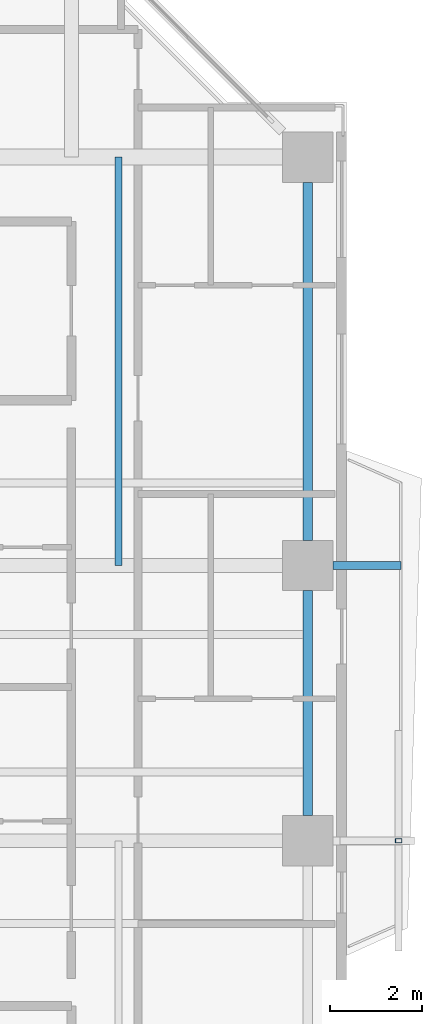
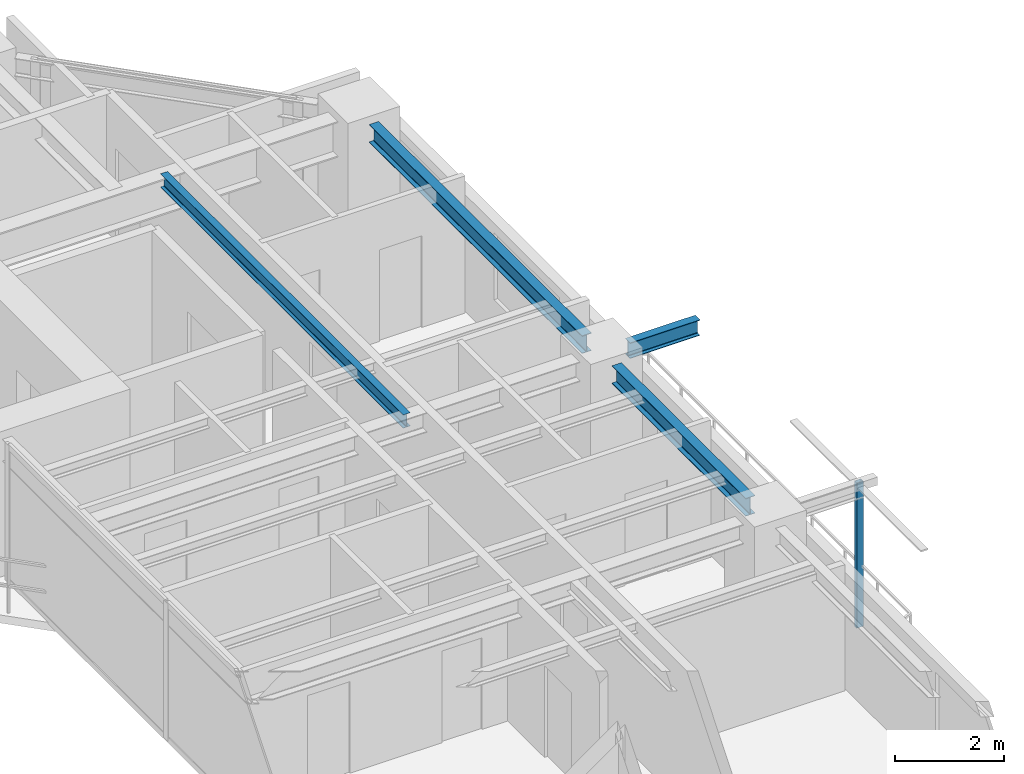
# One storey, part 7 of 17: 4 beams, 1 member.
"""IFC4 building model written with IfcOpenShell, lengths in metres."""

from ifc_helpers import new_model, si_unit, direction, frame, origin, origin_2d, place, context, subcontext, project, spatial, hollow_rectangle, i_section, extrude, source, transform, mapped, material, material_profile, profile_set, type_object, element, save


model = new_model("IFC4")

# Units and contexts
model_context = context("Model", 3, precision=1e-05, world=origin(), true_north=direction((0.0, 1.0)))
body_context = subcontext(model_context, "Body", "Model", "MODEL_VIEW")
ifc_project = project(units=[si_unit("LENGTHUNIT", "METRE"), si_unit("AREAUNIT", "SQUARE_METRE"), si_unit("VOLUMEUNIT", "CUBIC_METRE"), si_unit("PLANEANGLEUNIT", "RADIAN"), si_unit("MASSUNIT", "GRAM", prefix="KILO"), si_unit("THERMODYNAMICTEMPERATUREUNIT", "KELVIN"), si_unit("POWERUNIT", "WATT")], contexts=[model_context])

# Site, building, storey
site_placement = place(None, origin())
site = spatial("IfcSite", under=ifc_project, at=site_placement, CompositionType="ELEMENT")
building_placement = place(site_placement, origin())
building = spatial("IfcBuilding", under=site, at=building_placement, Name="Qiaomeng Ring Towers", CompositionType="ELEMENT")
storey_placement = place(building_placement, frame((0.0, 0.0, 129.5)))
storey = spatial("IfcBuildingStorey", under=building, at=storey_placement, Name="L37", CompositionType="ELEMENT", Elevation=129.5)

# Beams
ifc_material_1 = material(Name="Steel Q355B", Category="steel")
ifc_material_profile_1 = material_profile(ifc_material_1, i_section(OverallWidth=0.175048828125, OverallDepth=0.35009765625, WebThickness=0.007080078125, FlangeThickness=0.010986328125, FilletRadius=0.013916015625, at=origin_2d()), Name="HN 350x175x7x11")
ifc_profile_set_1 = profile_set([ifc_material_profile_1], Name="Steel Q355B")
beam_type_1 = type_object("IfcBeamType", Name="STR-BM-HN350", PredefinedType="JOIST", material=ifc_profile_set_1)
shared_shape_1 = source(origin(), body_context, "Body", "SweptSolid", [
    extrude(i_section(OverallWidth=0.175048828125, OverallDepth=0.35009765625, WebThickness=0.007080078125, FlangeThickness=0.010986328125, FilletRadius=0.013916015625, at=origin_2d()), origin(), (0.0, 0.0, 1.0), 1.48095703125),
])
beam_1_placement = place(storey_placement, frame((36.59912109375, 26.0, 2.89501953125), z_axis=(1.0, 0.0, 0.0), x_axis=(0.0, 1.0, 0.0)))
element("IfcBeam", 1, at=beam_1_placement, inside=storey, type_object=beam_type_1, Name="L37 beam STR-BALBM-L37-E3", PredefinedType="JOIST", context=body_context, shape_type="MappedRepresentation", body=[
    mapped(shared_shape_1, transform((0.0, 0.0, 0.0), x_axis=(1.0, 0.0, 0.0), y_axis=(0.0, 1.0, 0.0), z_axis=(0.0, 0.0, 1.0), scale=1.0)),
])
ifc_material_profile_2 = material_profile(ifc_material_1, i_section(OverallWidth=0.199951171875, OverallDepth=0.39990234375, WebThickness=0.008056640625, FlangeThickness=0.012939453125, FilletRadius=0.01611328125, at=origin_2d()), Name="HN 400x200x8x13")
ifc_profile_set_2 = profile_set([ifc_material_profile_2], Name="Steel Q355B")
beam_type_2 = type_object("IfcBeamType", Name="STR-BM-HN400", PredefinedType="SPANDREL", material=ifc_profile_set_2)
shared_shape_2 = source(origin(), body_context, "Body", "SweptSolid", [
    extrude(i_section(OverallWidth=0.199951171875, OverallDepth=0.39990234375, WebThickness=0.008056640625, FlangeThickness=0.012939453125, FilletRadius=0.01611328125, at=origin_2d()), origin(), (0.0, 0.0, 1.0), 7.802001953125),
])
beam_2_placement = place(storey_placement, frame((36.050048828125, 26.549072265625, 2.8701171875), z_axis=(0.0, 1.0, 0.0), x_axis=(-1.0, 0.0, 0.0)))
element("IfcBeam", 2, at=beam_2_placement, inside=storey, type_object=beam_type_2, Name="L37 beam STR-SP-L37-T1-E3-E4", PredefinedType="SPANDREL", context=body_context, shape_type="MappedRepresentation", body=[
    mapped(shared_shape_2, transform((0.0, 0.0, 0.0), x_axis=(1.0, 0.0, 0.0), y_axis=(0.0, 1.0, 0.0), z_axis=(0.0, 0.0, 1.0), scale=1.0)),
])
shared_shape_3 = source(origin(), body_context, "Body", "SweptSolid", [
    extrude(i_section(OverallWidth=0.199951171875, OverallDepth=0.39990234375, WebThickness=0.008056640625, FlangeThickness=0.012939453125, FilletRadius=0.01611328125, at=origin_2d()), origin(), (0.0, 0.0, 1.0), 4.90185546875),
])
beam_3_placement = place(storey_placement, frame((36.050048828125, 20.549072265625, 2.8701171875), z_axis=(0.0, 1.0, 0.0), x_axis=(-1.0, 0.0, 0.0)))
element("IfcBeam", 3, at=beam_3_placement, inside=storey, type_object=beam_type_2, Name="L37 beam STR-SP-L37-T1-E2-E3", PredefinedType="SPANDREL", context=body_context, shape_type="MappedRepresentation", body=[
    mapped(shared_shape_3, transform((0.0, 0.0, 0.0), x_axis=(1.0, 0.0, 0.0), y_axis=(0.0, 1.0, 0.0), z_axis=(0.0, 0.0, 1.0), scale=1.0)),
])
ifc_material_profile_3 = material_profile(ifc_material_1, i_section(OverallWidth=0.14990234375, OverallDepth=0.300048828125, WebThickness=0.006591796875, FlangeThickness=0.009033203125, FilletRadius=0.012939453125, at=origin_2d()), Name="HN 300x150x6.5x9")
ifc_profile_set_3 = profile_set([ifc_material_profile_3], Name="Steel Q355B")
beam_type_3 = type_object("IfcBeamType", Name="STR-BM-HN300", PredefinedType="JOIST", material=ifc_profile_set_3)
shared_shape_4 = source(origin(), body_context, "Body", "SweptSolid", [
    extrude(i_section(OverallWidth=0.14990234375, OverallDepth=0.300048828125, WebThickness=0.006591796875, FlangeThickness=0.009033203125, FilletRadius=0.012939453125, at=origin_2d()), origin(), (0.0, 0.0, 1.0), 8.89990234375),
])
beam_4_placement = place(storey_placement, frame((31.925048828125, 26.0, 2.919921875), z_axis=(0.0, 1.0, 0.0), x_axis=(-1.0, 0.0, 0.0)))
element("IfcBeam", 4, at=beam_4_placement, inside=storey, type_object=beam_type_3, Name="L37 beam STR-JST-L37-T1C-EN", PredefinedType="JOIST", context=body_context, shape_type="MappedRepresentation", body=[
    mapped(shared_shape_4, transform((0.0, 0.0, 0.0), x_axis=(1.0, 0.0, 0.0), y_axis=(0.0, 1.0, 0.0), z_axis=(0.0, 0.0, 1.0), scale=1.0)),
])

# Member
ifc_material_2 = material(Name="Stainless steel 316", Category="steel")
ifc_material_profile_4 = material_profile(ifc_material_2, hollow_rectangle(XDim=0.090087890625, YDim=0.139892578125, WallThickness=0.0048828125, at=origin_2d()), Name="SS TRELLIS 90x140")
ifc_profile_set_4 = profile_set([ifc_material_profile_4], Name="Stainless steel 316")
member_type = type_object("IfcMemberType", Name="ARC-TR-POST1", PredefinedType="STUD", material=ifc_profile_set_4)
shared_shape_5 = source(origin(), body_context, "Body", "SweptSolid", [
    extrude(hollow_rectangle(XDim=0.090087890625, YDim=0.139892578125, WallThickness=0.0048828125, at=origin_2d()), origin(), (0.0, 0.0, 1.0), 3.25),
])
member_placement = place(storey_placement, frame((38.030029296875, 20.0, -0.179931640625), z_axis=(0.0, 0.0, 1.0), x_axis=(0.0, 1.0, 0.0)))
element("IfcMember", 5, at=member_placement, inside=storey, type_object=member_type, Name="L37 Outer Ventilated Trellis Post E", PredefinedType="STUD", context=body_context, shape_type="MappedRepresentation", body=[
    mapped(shared_shape_5, transform((0.0, 0.0, 0.0), x_axis=(1.0, 0.0, 0.0), y_axis=(0.0, 1.0, 0.0), z_axis=(0.0, 0.0, 1.0), scale=1.0)),
])

save(model, "model.ifc")
